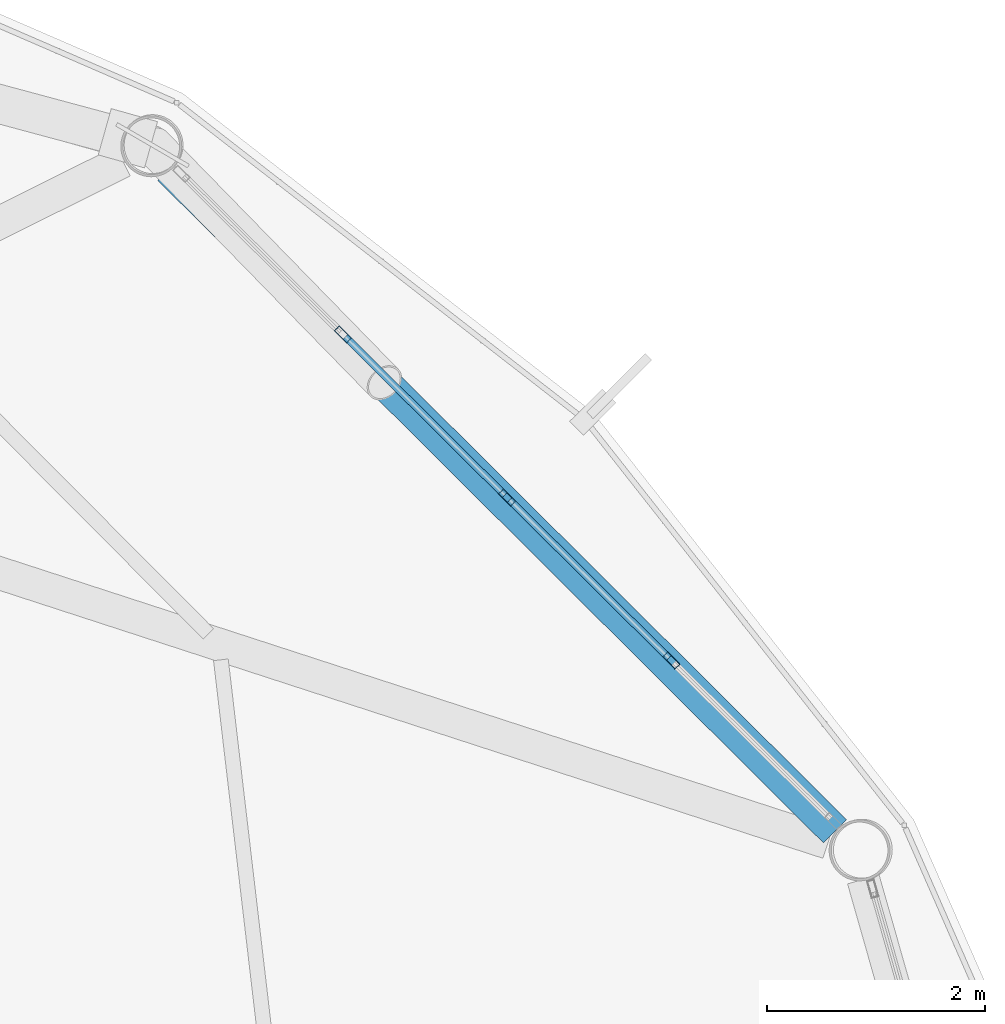
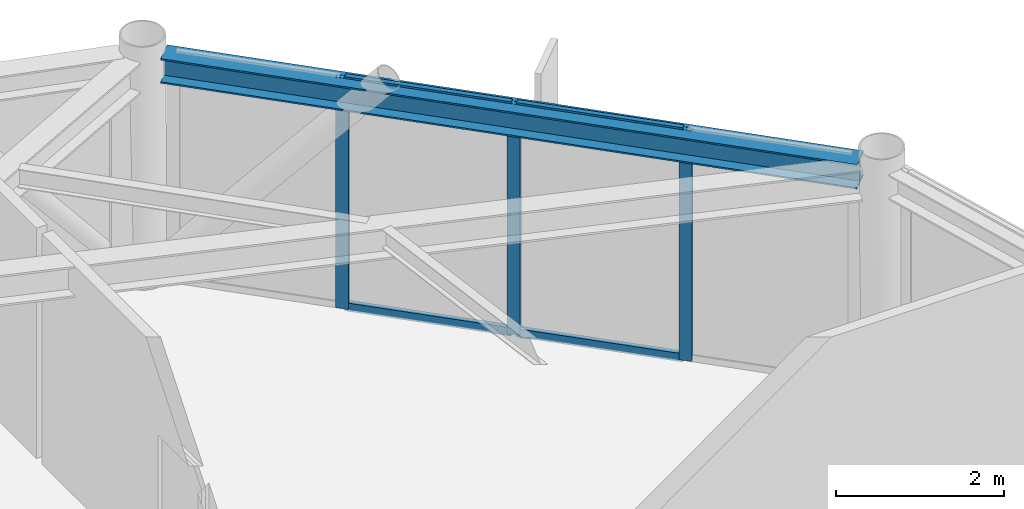
# One storey, part 13 of 24: 7 members, 1 beam, 1 element without a shape of its own.
"""IFC4 building model written with IfcOpenShell, lengths in metres."""

from ifc_helpers import new_model, si_unit, direction, frame, origin, origin_2d, place, context, subcontext, project, spatial, hollow_rectangle, i_section, extrude, material, layer, layer_set, material_profile, profile_set, type_object, element, aggregate, save


model = new_model("IFC4")

# Units and contexts
model_context = context("Model", 3, precision=1e-05, world=origin(), true_north=direction((0.0, 1.0)))
body_context = subcontext(model_context, "Body", "Model", "MODEL_VIEW")
ifc_project = project(units=[si_unit("LENGTHUNIT", "METRE"), si_unit("AREAUNIT", "SQUARE_METRE"), si_unit("VOLUMEUNIT", "CUBIC_METRE"), si_unit("PLANEANGLEUNIT", "RADIAN"), si_unit("MASSUNIT", "GRAM", prefix="KILO")], contexts=[model_context])

# Site, building, storey
site_placement = place(None, origin())
site = spatial("IfcSite", under=ifc_project, at=site_placement, CompositionType="ELEMENT")
building_placement = place(site_placement, origin())
building = spatial("IfcBuilding", under=site, at=building_placement, Name="Varnakorn Sky Granary", CompositionType="ELEMENT")
storey_placement = place(building_placement, frame((0.0, 0.0, 281.39990234375)))
storey = spatial("IfcBuildingStorey", under=building, at=storey_placement, Name="L72", CompositionType="ELEMENT", Elevation=281.39990234375)

# Beam
ifc_material_1 = material(Name="Steel S355JR", Category="steel")
ifc_material_profile_1 = material_profile(ifc_material_1, i_section(OverallWidth=0.300048828125, OverallDepth=0.360107421875, WebThickness=0.012451171875, FlangeThickness=0.0224609375, at=origin_2d()), Name="HE 360 B")
ifc_profile_set_1 = profile_set([ifc_material_profile_1], Name="Steel S355JR")
beam_type = type_object("IfcBeamType", Name="BM-SPD-Z5", PredefinedType="SPANDREL", material=ifc_profile_set_1)
beam_placement = place(storey_placement, frame((19.976318359375, 8.986083984375, 3.18017578125), z_axis=(-0.708779192031, 0.705430405458, 0.0), x_axis=(-0.705430405458, -0.708779192031, 0.0)))
element("IfcBeam", 1, at=beam_placement, inside=storey, type_object=beam_type, Name="Perimeter Spandrel Ring Beam RB02 L72", PredefinedType="SPANDREL", context=body_context, shape_type="SweptSolid", body=[
    extrude(i_section(OverallWidth=0.300048828125, OverallDepth=0.360107421875, WebThickness=0.012451171875, FlangeThickness=0.0224609375, at=origin_2d()), origin(), (0.0, 0.0, 1.0), 8.602783203125),
])

# Curtain wall, members
ifc_material_2 = material(Name="Anodised Bronze Aluminium Alloy 6063-T6", Category="aluminium")
ifc_layer = layer(ifc_material_2, 0.159912109375, Name="Anodised Bronze Aluminium Alloy 6063-T6")
ifc_layer_set = layer_set([ifc_layer], Name="Anodised Bronze Aluminium Alloy 6063-T6")
curtain_wall_type = type_object("IfcCurtainWallType", Name="CW-OFF-1", PredefinedType="USERDEFINED", material=ifc_layer_set)
curtain_wall_placement = place(storey_placement, origin())
curtain_wall = element("IfcCurtainWall", 2, at=curtain_wall_placement, inside=storey, type_object=curtain_wall_type, Name="Unitised Curtain Wall CW6 CW-L72-B02", ObjectType="CURTAIN WALL", PredefinedType="USERDEFINED")
ifc_material_profile_2 = material_profile(ifc_material_2, hollow_rectangle(XDim=0.06494140625, YDim=0.159912109375, WallThickness=0.00341796875, at=origin_2d()), Name="ALU MULL 65x160")
ifc_profile_set_2 = profile_set([ifc_material_profile_2], Name="Anodised Bronze Aluminium Alloy 6063-T6")
member_type_1 = type_object("IfcMemberType", Name="CW-OFF-1-MULL", PredefinedType="MULLION", material=ifc_profile_set_2)
member_1_placement = place(storey_placement, frame((15.4697265625, 13.537353515625, 0.0), z_axis=(0.0, 0.0, 1.0), x_axis=(0.704761759046, 0.709444052048, 0.0)))
member_1 = element("IfcMember", 3, at=member_1_placement, type_object=member_type_1, Name="CW6 mullion 2", PredefinedType="MULLION", context=body_context, shape_type="SweptSolid", body=[
    extrude(hollow_rectangle(XDim=0.06494140625, YDim=0.159912109375, WallThickness=0.00341796875, at=origin_2d()), origin(), (0.0, 0.0, 1.0), 3.360107421875),
])
member_2_placement = place(storey_placement, frame((16.973388671875, 12.04345703125, 0.0), z_axis=(0.0, 0.0, 1.0), x_axis=(0.704761759046, 0.709444052048, 0.0)))
member_2 = element("IfcMember", 4, at=member_2_placement, type_object=member_type_1, Name="CW6 mullion 3", PredefinedType="MULLION", context=body_context, shape_type="SweptSolid", body=[
    extrude(hollow_rectangle(XDim=0.06494140625, YDim=0.159912109375, WallThickness=0.00341796875, at=origin_2d()), origin(), (0.0, 0.0, 1.0), 3.360107421875),
])
member_3_placement = place(storey_placement, frame((18.477294921875, 10.549560546875, 0.0), z_axis=(0.0, 0.0, 1.0), x_axis=(0.704761759046, 0.709444052048, 0.0)))
member_3 = element("IfcMember", 5, at=member_3_placement, type_object=member_type_1, Name="CW6 mullion 4", PredefinedType="MULLION", context=body_context, shape_type="SweptSolid", body=[
    extrude(hollow_rectangle(XDim=0.06494140625, YDim=0.159912109375, WallThickness=0.00341796875, at=origin_2d()), origin(), (0.0, 0.0, 1.0), 3.360107421875),
])
ifc_material_profile_3 = material_profile(ifc_material_2, hollow_rectangle(XDim=0.06494140625, YDim=0.1201171875, WallThickness=0.00341796875, at=origin_2d()), Name="ALU TRAN 65x120")
ifc_profile_set_3 = profile_set([ifc_material_profile_3], Name="Anodised Bronze Aluminium Alloy 6063-T6")
member_type_2 = type_object("IfcMemberType", Name="CW-OFF-1-TRAN", PredefinedType="USERDEFINED", material=ifc_profile_set_3)
member_4_placement = place(storey_placement, frame((15.49267578125, 13.514404296875, 0.03271484375), z_axis=(0.709479204587, -0.704726371195, 0.0), x_axis=(0.704726371195, 0.709479204587, 0.0)))
member_4 = element("IfcMember", 6, at=member_4_placement, type_object=member_type_2, Name="CW6 transom 2.1", ObjectType="TRANSOM", PredefinedType="USERDEFINED", context=body_context, shape_type="SweptSolid", body=[
    extrude(hollow_rectangle(XDim=0.06494140625, YDim=0.1201171875, WallThickness=0.00341796875, at=origin_2d()), origin(), (0.0, 0.0, 1.0), 2.0546875),
])
member_5_placement = place(storey_placement, frame((15.49267578125, 13.514404296875, 3.32763671875), z_axis=(0.709479204587, -0.704726371195, 0.0), x_axis=(0.704726371195, 0.709479204587, 0.0)))
member_5 = element("IfcMember", 7, at=member_5_placement, type_object=member_type_2, Name="CW6 transom 2.2", ObjectType="TRANSOM", PredefinedType="USERDEFINED", context=body_context, shape_type="SweptSolid", body=[
    extrude(hollow_rectangle(XDim=0.06494140625, YDim=0.1201171875, WallThickness=0.00341796875, at=origin_2d()), origin(), (0.0, 0.0, 1.0), 2.0546875),
])
member_6_placement = place(storey_placement, frame((16.99658203125, 12.020751953125, 0.03271484375), z_axis=(0.709419797966, -0.704786173427, 0.0), x_axis=(0.704786173427, 0.709419797966, 0.0)))
member_6 = element("IfcMember", 8, at=member_6_placement, type_object=member_type_2, Name="CW6 transom 3.1", ObjectType="TRANSOM", PredefinedType="USERDEFINED", context=body_context, shape_type="SweptSolid", body=[
    extrude(hollow_rectangle(XDim=0.06494140625, YDim=0.1201171875, WallThickness=0.00341796875, at=origin_2d()), origin(), (0.0, 0.0, 1.0), 2.054931640625),
])
member_7_placement = place(storey_placement, frame((16.99658203125, 12.020751953125, 3.32763671875), z_axis=(0.709419797966, -0.704786173427, 0.0), x_axis=(0.704786173427, 0.709419797966, 0.0)))
member_7 = element("IfcMember", 9, at=member_7_placement, type_object=member_type_2, Name="CW6 transom 3.2", ObjectType="TRANSOM", PredefinedType="USERDEFINED", context=body_context, shape_type="SweptSolid", body=[
    extrude(hollow_rectangle(XDim=0.06494140625, YDim=0.1201171875, WallThickness=0.00341796875, at=origin_2d()), origin(), (0.0, 0.0, 1.0), 2.054931640625),
])
aggregate(curtain_wall, [member_1, member_2, member_3, member_4, member_5, member_6, member_7])

save(model, "model.ifc")
